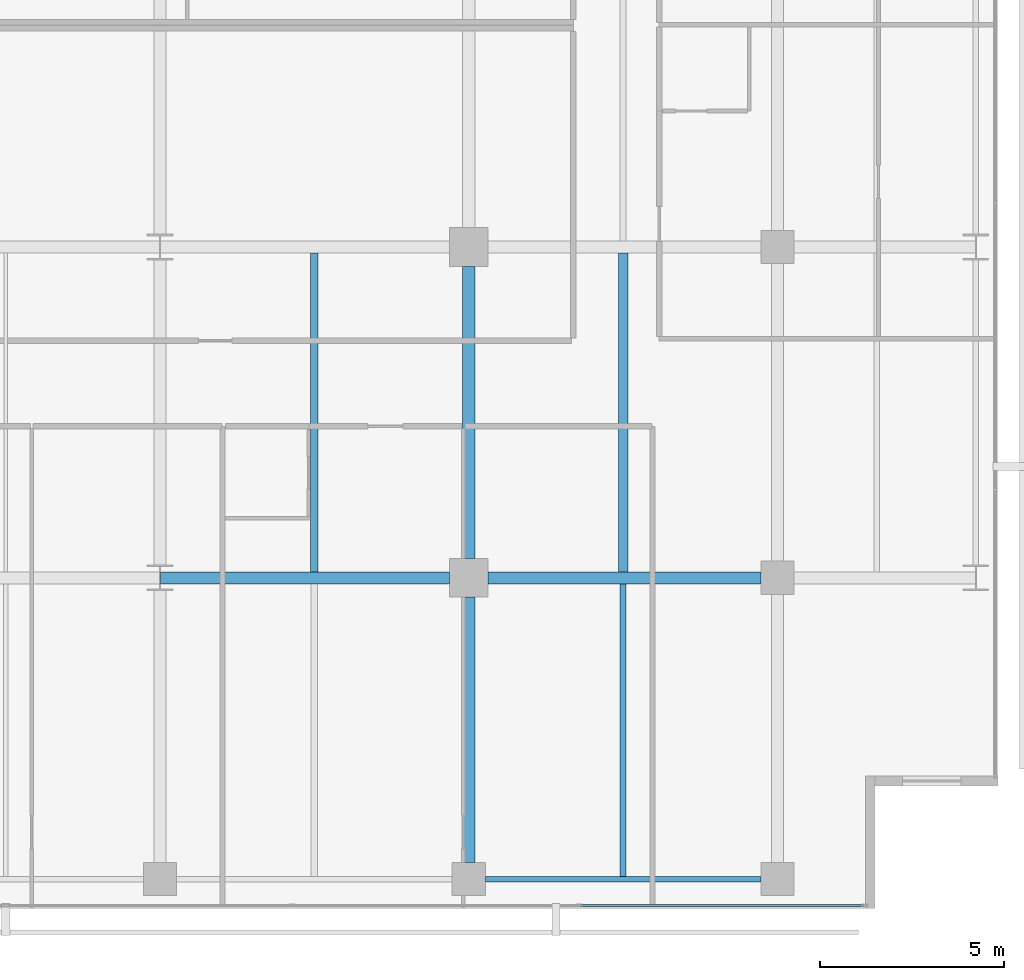
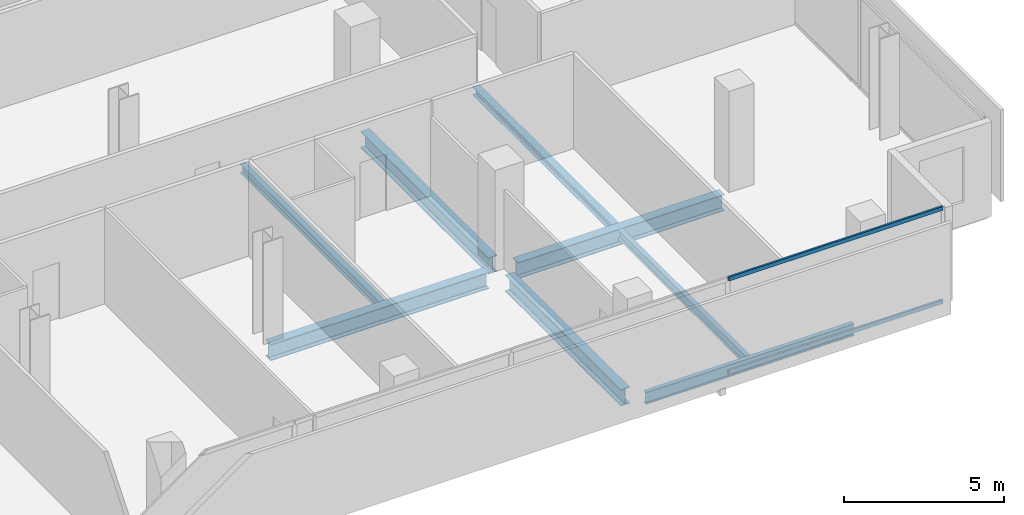
# One storey, part 15 of 39: 8 beams, 2 members, 1 element without a shape of its own.
"""IFC4 building model written with IfcOpenShell, lengths in metres."""

from ifc_helpers import new_model, si_unit, direction, frame, origin, origin_2d, place, context, subcontext, project, spatial, hollow_rectangle, i_section, extrude, material, layer, layer_set, material_profile, profile_set, type_object, element, aggregate, save


model = new_model("IFC4")

# Units and contexts
model_context = context("Model", 3, precision=1e-05, world=origin(), true_north=direction((0.0, 1.0)))
body_context = subcontext(model_context, "Body", "Model", "MODEL_VIEW")
ifc_project = project(units=[si_unit("LENGTHUNIT", "METRE"), si_unit("AREAUNIT", "SQUARE_METRE"), si_unit("VOLUMEUNIT", "CUBIC_METRE"), si_unit("PLANEANGLEUNIT", "RADIAN"), si_unit("MASSUNIT", "GRAM", prefix="KILO")], contexts=[model_context])

# Site, building, storey
site_placement = place(None, origin())
site = spatial("IfcSite", under=ifc_project, at=site_placement, CompositionType="ELEMENT")
building_placement = place(site_placement, origin())
building = spatial("IfcBuilding", under=site, at=building_placement, Name="Maruvema Waterfront Hotel and Observation Tower", CompositionType="ELEMENT")
storey_placement = place(building_placement, frame((0.0, 0.0, 69.300048828125)))
storey = spatial("IfcBuildingStorey", under=building, at=storey_placement, Name="L16", CompositionType="ELEMENT", Elevation=69.300048828125)

# Curtain wall, members
ifc_material_1 = material(Name="Anodised bronze aluminium and solar-control low-E IGU", Category="aluminium")
ifc_layer = layer(ifc_material_1, 0.159912109375, Name="Zone 1 Bronze Inner Thermal Curtain Wall System CW-02")
ifc_layer_set = layer_set([ifc_layer], Name="Anodised bronze aluminium and solar-control low-E IGU")
curtain_wall_type = type_object("IfcCurtainWallType", Name="Zone 1 Bronze Inner Thermal Curtain Wall System CW-02", PredefinedType="USERDEFINED", material=ifc_layer_set)
curtain_wall_placement = place(storey_placement, origin())
curtain_wall = element("IfcCurtainWall", 1, at=curtain_wall_placement, inside=storey, type_object=curtain_wall_type, Name="L16 Curtain Wall CW-L16-S", ObjectType="UNITISED CURTAIN WALL", PredefinedType="USERDEFINED")
ifc_material_2 = material(Name="Anodised architectural bronze aluminium", Category="aluminium")
ifc_material_profile_1 = material_profile(ifc_material_2, hollow_rectangle(XDim=0.070068359375, YDim=0.14990234375, WallThickness=0.00390625, at=origin_2d()), Name="ALU-T70x150")
ifc_profile_set_1 = profile_set([ifc_material_profile_1], Name="Anodised architectural bronze aluminium")
member_type = type_object("IfcMemberType", Name="Curtain Wall Horizontal Transom ALU-T70x150", PredefinedType="USERDEFINED", material=ifc_profile_set_1)
member_1_placement = place(storey_placement, frame((53.429931640625, 0.080078125, 0.030029296875), z_axis=(1.0, 0.0, 0.0), x_axis=(0.0, 1.0, 0.0)))
member_1 = element("IfcMember", 2, at=member_1_placement, type_object=member_type, Name="CW-02 transom 6.1", ObjectType="TRANSOM", PredefinedType="USERDEFINED", context=body_context, shape_type="SweptSolid", body=[
    extrude(hollow_rectangle(XDim=0.070068359375, YDim=0.14990234375, WallThickness=0.00390625, at=origin_2d()), origin(), (0.0, 0.0, 1.0), 7.7099609375),
])
member_2_placement = place(storey_placement, frame((53.429931640625, 0.080078125, 3.579833984375), z_axis=(1.0, 0.0, 0.0), x_axis=(0.0, 1.0, 0.0)))
member_2 = element("IfcMember", 3, at=member_2_placement, type_object=member_type, Name="CW-02 transom 6.2", ObjectType="TRANSOM", PredefinedType="USERDEFINED", context=body_context, shape_type="SweptSolid", body=[
    extrude(hollow_rectangle(XDim=0.070068359375, YDim=0.14990234375, WallThickness=0.00390625, at=origin_2d()), origin(), (0.0, 0.0, 1.0), 7.7099609375),
])
aggregate(curtain_wall, [member_1, member_2])

# Beams
ifc_material_3 = material(Name="Steel ASTM A572 Grade 50", Category="steel")
ifc_material_profile_2 = material_profile(ifc_material_3, i_section(OverallWidth=0.153076171875, OverallDepth=0.455078125, WebThickness=0.008056640625, FlangeThickness=0.01318359375, FilletRadius=0.014892578125, at=origin_2d()), Name="W460x60.0")
ifc_profile_set_2 = profile_set([ifc_material_profile_2], Name="Steel ASTM A572 Grade 50")
beam_type_1 = type_object("IfcBeamType", Name="Perimeter Spandrel Beam W460x60.0", PredefinedType="SPANDREL", material=ifc_profile_set_2)
beam_1_placement = place(storey_placement, frame((50.85009765625, 0.800048828125, -0.467529296875), z_axis=(1.0, 0.0, 0.0), x_axis=(0.0, 1.0, 0.0)))
element("IfcBeam", 4, at=beam_1_placement, inside=storey, type_object=beam_type_1, Name="L16 Floor Girder EW-05", PredefinedType="SPANDREL", context=body_context, shape_type="SweptSolid", body=[
    extrude(i_section(OverallWidth=0.153076171875, OverallDepth=0.455078125, WebThickness=0.008056640625, FlangeThickness=0.01318359375, FilletRadius=0.014892578125, at=origin_2d()), origin(), (0.0, 0.0, 1.0), 7.5),
])
ifc_material_4 = material(Name="Steel ASTM A572 Grade 50", Category="steel")
ifc_material_profile_3 = material_profile(ifc_material_4, i_section(OverallWidth=0.326904296875, OverallDepth=0.6220703125, WebThickness=0.015380859375, FlangeThickness=0.0244140625, FilletRadius=0.01806640625, at=origin_2d()), Name="W610x195.0")
ifc_profile_set_3 = profile_set([ifc_material_profile_3], Name="Steel ASTM A572 Grade 50")
beam_type_2 = type_object("IfcBeamType", Name="Primary Floor Girder W610x195.0", PredefinedType="BEAM", material=ifc_profile_set_3)
beam_2_placement = place(storey_placement, frame((42.013916015625, 9.0, -0.551025390625), z_axis=(1.0, 0.0, 0.0), x_axis=(0.0, 1.0, 0.0)))
element("IfcBeam", 5, at=beam_2_placement, inside=storey, type_object=beam_type_2, Name="L16 Floor Girder EW-10", PredefinedType="BEAM", context=body_context, shape_type="SweptSolid", body=[
    extrude(i_section(OverallWidth=0.326904296875, OverallDepth=0.6220703125, WebThickness=0.015380859375, FlangeThickness=0.0244140625, FilletRadius=0.01806640625, at=origin_2d()), origin(), (0.0, 0.0, 1.0), 7.861083984375),
])
beam_3_placement = place(storey_placement, frame((50.925048828125, 9.0, -0.551025390625), z_axis=(1.0, 0.0, 0.0), x_axis=(0.0, 1.0, 0.0)))
element("IfcBeam", 6, at=beam_3_placement, inside=storey, type_object=beam_type_2, Name="L16 Floor Girder EW-11", PredefinedType="BEAM", context=body_context, shape_type="SweptSolid", body=[
    extrude(i_section(OverallWidth=0.326904296875, OverallDepth=0.6220703125, WebThickness=0.015380859375, FlangeThickness=0.0244140625, FilletRadius=0.01806640625, at=origin_2d()), origin(), (0.0, 0.0, 1.0), 7.425048828125),
])
beam_4_placement = place(storey_placement, frame((50.39990234375, 1.25, -0.551025390625), z_axis=(0.0, 1.0, 0.0), x_axis=(-1.0, 0.0, 0.0)))
element("IfcBeam", 7, at=beam_4_placement, inside=storey, type_object=beam_type_2, Name="L16 Floor Girder NS-22", PredefinedType="BEAM", context=body_context, shape_type="SweptSolid", body=[
    extrude(i_section(OverallWidth=0.326904296875, OverallDepth=0.6220703125, WebThickness=0.015380859375, FlangeThickness=0.0244140625, FilletRadius=0.01806640625, at=origin_2d()), origin(), (0.0, 0.0, 1.0), 7.22509765625),
])
beam_5_placement = place(storey_placement, frame((50.39990234375, 9.52490234375, -0.551025390625), z_axis=(0.0, 1.0, 0.0), x_axis=(-1.0, 0.0, 0.0)))
element("IfcBeam", 8, at=beam_5_placement, inside=storey, type_object=beam_type_2, Name="L16 Floor Girder NS-23", PredefinedType="BEAM", context=body_context, shape_type="SweptSolid", body=[
    extrude(i_section(OverallWidth=0.326904296875, OverallDepth=0.6220703125, WebThickness=0.015380859375, FlangeThickness=0.0244140625, FilletRadius=0.01806640625, at=origin_2d()), origin(), (0.0, 0.0, 1.0), 7.9501953125),
])
ifc_material_5 = material(Name="Steel ASTM A572 Grade 50", Category="steel")
ifc_material_profile_4 = material_profile(ifc_material_5, i_section(OverallWidth=0.25390625, OverallDepth=0.305908203125, WebThickness=0.0087890625, FlangeThickness=0.0146484375, FilletRadius=0.014892578125, at=origin_2d()), Name="W310x79.0")
ifc_profile_set_4 = profile_set([ifc_material_profile_4], Name="Steel ASTM A572 Grade 50")
beam_type_3 = type_object("IfcBeamType", Name="Secondary Floor Joist W310x79.0", PredefinedType="JOIST", material=ifc_profile_set_4)
beam_6_placement = place(storey_placement, frame((54.60009765625, 9.16357421875, -0.39306640625), z_axis=(0.0, 1.0, 0.0), x_axis=(-1.0, 0.0, 0.0)))
element("IfcBeam", 9, at=beam_6_placement, inside=storey, type_object=beam_type_3, Name="L16 Secondary Floor Joist JS-17", PredefinedType="JOIST", context=body_context, shape_type="SweptSolid", body=[
    extrude(i_section(OverallWidth=0.25390625, OverallDepth=0.305908203125, WebThickness=0.0087890625, FlangeThickness=0.0146484375, FilletRadius=0.014892578125, at=origin_2d()), origin(), (0.0, 0.0, 1.0), 8.6728515625),
])
ifc_material_6 = material(Name="Steel ASTM A572 Grade 50", Category="steel")
ifc_material_profile_5 = material_profile(ifc_material_6, i_section(OverallWidth=0.1708984375, OverallDepth=0.35498046875, WebThickness=0.007080078125, FlangeThickness=0.01171875, FilletRadius=0.014892578125, at=origin_2d()), Name="W360x51.0")
ifc_profile_set_5 = profile_set([ifc_material_profile_5], Name="Steel ASTM A572 Grade 50")
beam_type_4 = type_object("IfcBeamType", Name="Secondary Floor Joist W360x51.0", PredefinedType="JOIST", material=ifc_profile_set_5)
beam_7_placement = place(storey_placement, frame((54.60009765625, 0.87646484375, -0.41748046875), z_axis=(0.0, 1.0, 0.0), x_axis=(-1.0, 0.0, 0.0)))
element("IfcBeam", 10, at=beam_7_placement, inside=storey, type_object=beam_type_4, Name="L16 Secondary Floor Joist JS-16", PredefinedType="JOIST", context=body_context, shape_type="SweptSolid", body=[
    extrude(i_section(OverallWidth=0.1708984375, OverallDepth=0.35498046875, WebThickness=0.007080078125, FlangeThickness=0.01171875, FilletRadius=0.014892578125, at=origin_2d()), origin(), (0.0, 0.0, 1.0), 7.9599609375),
])
ifc_material_7 = material(Name="Steel ASTM A572 Grade 50", Category="steel")
ifc_material_profile_6 = material_profile(ifc_material_7, i_section(OverallWidth=0.202880859375, OverallDepth=0.346923828125, WebThickness=0.0078125, FlangeThickness=0.013427734375, FilletRadius=0.014892578125, at=origin_2d()), Name="W360x64.0")
ifc_profile_set_6 = profile_set([ifc_material_profile_6], Name="Steel ASTM A572 Grade 50")
beam_type_5 = type_object("IfcBeamType", Name="Secondary Floor Joist W360x64.0", PredefinedType="JOIST", material=ifc_profile_set_6)
beam_8_placement = place(storey_placement, frame((46.199951171875, 9.16357421875, -0.41357421875), z_axis=(0.0, 1.0, 0.0), x_axis=(-1.0, 0.0, 0.0)))
element("IfcBeam", 11, at=beam_8_placement, inside=storey, type_object=beam_type_5, Name="L16 Secondary Floor Joist JS-15", PredefinedType="JOIST", context=body_context, shape_type="SweptSolid", body=[
    extrude(i_section(OverallWidth=0.202880859375, OverallDepth=0.346923828125, WebThickness=0.0078125, FlangeThickness=0.013427734375, FilletRadius=0.014892578125, at=origin_2d()), origin(), (0.0, 0.0, 1.0), 8.6728515625),
])

save(model, "model.ifc")
